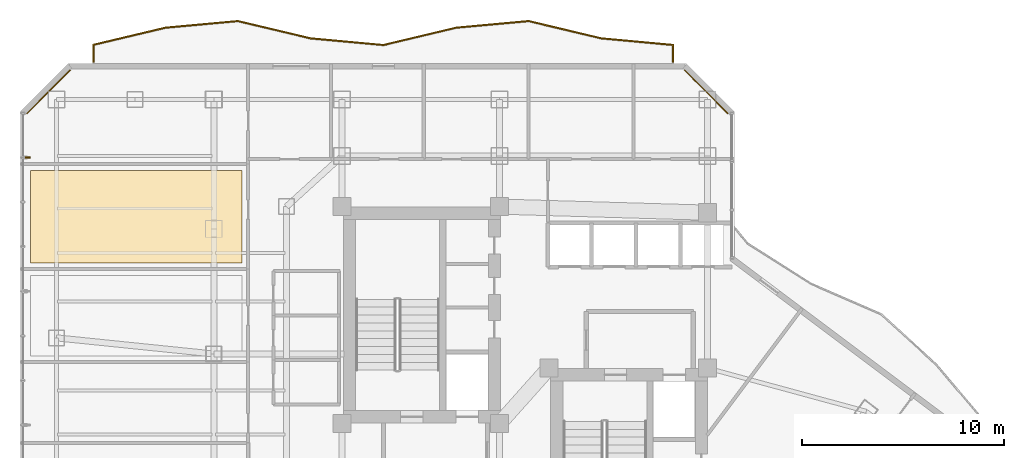
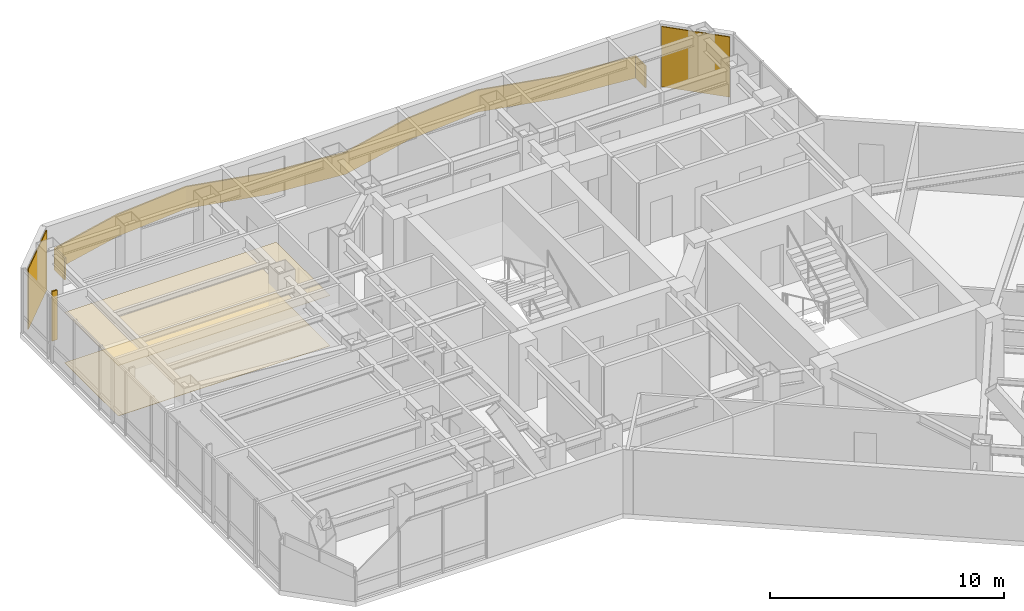
# One storey, part 29 of 29: 4 coverings, 1 railing, 1 shading device.
"""IFC4 building model written with IfcOpenShell, lengths in metres."""

from ifc_helpers import new_model, si_unit, direction, frame, origin, origin_2d, place, context, subcontext, project, spatial, polyline, rectangle, outline, extrude, material, layer, layer_set, type_object, element, save


model = new_model("IFC4")

# Units and contexts
model_context = context("Model", 3, precision=1e-05, world=origin(), true_north=direction((0.0, 1.0)))
body_context = subcontext(model_context, "Body", "Model", "MODEL_VIEW")
ifc_project = project(units=[si_unit("LENGTHUNIT", "METRE"), si_unit("AREAUNIT", "SQUARE_METRE"), si_unit("VOLUMEUNIT", "CUBIC_METRE"), si_unit("PLANEANGLEUNIT", "RADIAN"), si_unit("MASSUNIT", "GRAM", prefix="KILO")], contexts=[model_context])

# Site, building, storey
site_placement = place(None, origin())
site = spatial("IfcSite", under=ifc_project, at=site_placement, CompositionType="ELEMENT")
building_placement = place(site_placement, origin())
building = spatial("IfcBuilding", under=site, at=building_placement, Name="Hatsunagi Terrace Concourse", CompositionType="ELEMENT")
storey_placement = place(building_placement, frame((0.0, 0.0, 149.25)))
storey = spatial("IfcBuildingStorey", under=building, at=storey_placement, Name="L39", CompositionType="ELEMENT", Elevation=149.25)

# Covering
ifc_material_1 = material(Name="Acoustic mineral board", Category="gypsum")
ifc_layer_1 = layer(ifc_material_1, 0.02001953125)
ifc_layer_set_1 = layer_set([ifc_layer_1], Name="AcousticMineralCeiling_20")
covering_type_1 = type_object("IfcCoveringType", Name="AcousticMineralCeiling_20", PredefinedType="CEILING", material=ifc_layer_set_1)
covering_1_placement = place(storey_placement, frame((0.0, 0.0, 2.6298828125)))
element("IfcCovering", 1, at=covering_1_placement, inside=storey, type_object=covering_type_1, Name="Suspended Ceiling L39-1", PredefinedType="CEILING", context=body_context, shape_type="SweptSolid", body=[
    extrude(outline(polyline([(10.1298828125, 40.5), (20.60009765625, 40.5), (20.60009765625, 45.10009765625), (10.1298828125, 45.10009765625), (10.1298828125, 40.5)])), origin(), (0.0, 0.0, 1.0), 0.02001953125),
])

# Railing
ifc_material_2 = material(Name="Laminated Glass and Stainless Steel Guard", Category="steel")
ifc_layer_2 = layer(ifc_material_2, 0.070068359375)
ifc_layer_set_2 = layer_set([ifc_layer_2], Name="BalconyGlassGuardRail_1150")
railing_type = type_object("IfcRailingType", Name="BalconyGlassGuardRail_1150", PredefinedType="BALUSTRADE", material=ifc_layer_set_2)
railing_placement = place(storey_placement, origin())
element("IfcRailing", 2, at=railing_placement, inside=storey, type_object=railing_type, Name="Engawa Balcony Guard GRD-01 L39-BN-1", PredefinedType="BALUSTRADE", context=body_context, shape_type="SweptSolid", body=[
    extrude(outline(polyline([(13.215087890625, 50.449951171875), (13.284912109375, 50.449951171875), (13.284912109375, 51.289306640625), (16.813720703125, 52.13037109375), (20.3935546875, 52.45751953125), (23.986328125, 51.602294921875), (27.6064453125, 51.26953125), (31.213623046875, 52.13037109375), (34.79345703125, 52.45751953125), (38.38623046875, 51.602294921875), (41.9150390625, 51.278076171875), (41.9150390625, 50.449951171875), (41.985107421875, 50.449951171875), (41.985107421875, 51.341796875), (38.397705078125, 51.671630859375), (34.798583984375, 52.5283203125), (31.202392578125, 52.19970703125), (27.6015625, 51.34033203125), (23.997802734375, 51.671630859375), (20.3984375, 52.5283203125), (16.80224609375, 52.19970703125), (13.215087890625, 51.344482421875), (13.215087890625, 50.449951171875)])), origin(), (0.0, 0.0, 1.0), 1.14990234375),
])

# Covering
ifc_material_3 = material(Name="Hardwood timber", Category="wood")
ifc_layer_3 = layer(ifc_material_3, 0.014892578125)
ifc_layer_set_3 = layer_set([ifc_layer_3], Name="HardwoodTimberFlooring_15")
covering_type_2 = type_object("IfcCoveringType", Name="HardwoodTimberFlooring_15", PredefinedType="FLOORING", material=ifc_layer_set_3)
covering_2_placement = place(storey_placement, origin())
element("IfcCovering", 3, at=covering_2_placement, inside=storey, type_object=covering_type_2, Name="Finished Flooring L39-1", PredefinedType="FLOORING", context=body_context, shape_type="SweptSolid", body=[
    extrude(outline(polyline([(10.1298828125, 40.5), (20.60009765625, 40.5), (20.60009765625, 45.10009765625), (10.1298828125, 45.10009765625), (10.1298828125, 40.5)])), origin(), (0.0, 0.0, 1.0), 0.014892578125),
])

# Shading device
ifc_material_4 = material(Name="Extruded Unglazed Terracotta Baguette", Category="masonry")
shading_device_type = type_object("IfcShadingDeviceType", Name="TerracottaFinScreen_260x70", PredefinedType="USERDEFINED", material=ifc_material_4)
shading_device_placement = place(storey_placement, frame((9.989990234375, 45.73388671875, 0.849853515625), z_axis=(0.0, 0.0, 1.0), x_axis=(0.0, 1.0, 0.0)))
element("IfcShadingDevice", 4, at=shading_device_placement, inside=storey, type_object=shading_device_type, Name="Terracotta Baguette Fin Screen SCR-01", ObjectType="SUNSHADE", PredefinedType="USERDEFINED", context=body_context, shape_type="SweptSolid", body=[
    extrude(rectangle(XDim=0.070068359375, YDim=0.260009765625, at=origin_2d()), origin(), (0.0, 0.0, 1.0), 2.60009765625),
])

# Coverings
ifc_material_5 = material(Name="Unglazed Warm Terracotta Rainscreen Tile", Category="masonry")
ifc_layer_4 = layer(ifc_material_5, 0.044921875)
ifc_layer_set_4 = layer_set([ifc_layer_4], Name="TerracottaRainscreenCladding_45")
covering_type_3 = type_object("IfcCoveringType", Name="TerracottaRainscreenCladding_45", PredefinedType="CLADDING", material=ifc_layer_set_4)
for number, where, z_axis, x_axis, name in (
    (5, (11.013916015625, 48.986083984375, 0.10009765625), (0.0, 0.0, 1.0), (0.707106781187, 0.707106781187, 0.0), "Terracotta Rainscreen Cladding L39-10"),
    (6, (43.5859375, 48.986083984375, 0.10009765625), (0.0, 0.0, 1.0), (0.707106781187, -0.707106781187, 0.0), "Terracotta Rainscreen Cladding L39-12"),
):
    element("IfcCovering", number, at=place(storey_placement, frame(where, z_axis=z_axis, x_axis=x_axis)), inside=storey, type_object=covering_type_3, Name=name, PredefinedType="CLADDING", context=body_context, shape_type="SweptSolid", body=[
        extrude(rectangle(XDim=3.0380859375, YDim=0.044921875, at=origin_2d()), origin(), (0.0, 0.0, 1.0), 3.14990234375),
    ])

save(model, "model.ifc")
